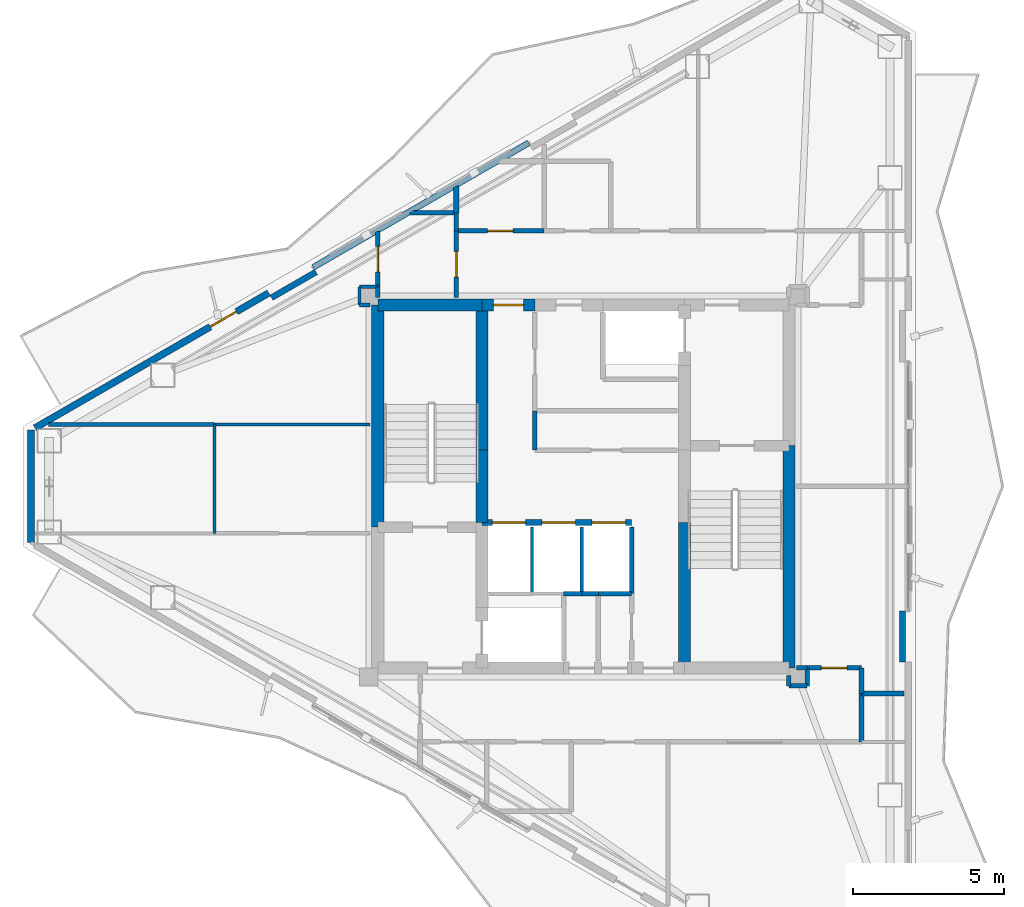
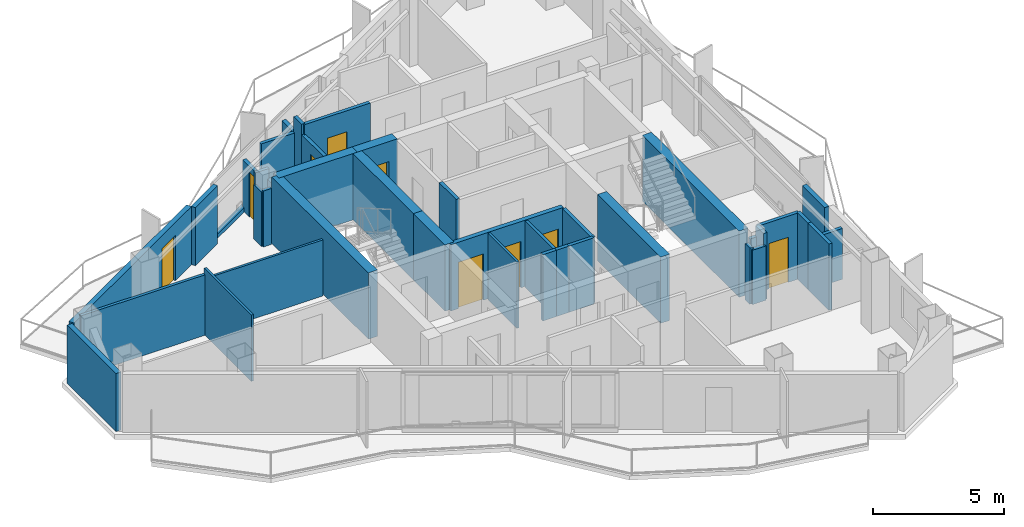
# One storey, part 15 of 18: 41 walls, 9 doors, 9 openings.
"""IFC4 building model written with IfcOpenShell, lengths in metres."""

from ifc_helpers import new_model, si_unit, direction, frame, frame_2d, origin, place, context, subcontext, project, spatial, rectangle, extrude, material, layer, layer_set, type_object, element, fill, save


model = new_model("IFC4")

# Units and contexts
model_context = context("Model", 3, precision=1e-05, world=origin(), true_north=direction((0.0, 1.0)))
body_context = subcontext(model_context, "Body", "Model", "MODEL_VIEW")
ifc_project = project(units=[si_unit("LENGTHUNIT", "METRE"), si_unit("AREAUNIT", "SQUARE_METRE"), si_unit("VOLUMEUNIT", "CUBIC_METRE"), si_unit("PLANEANGLEUNIT", "RADIAN"), si_unit("MASSUNIT", "GRAM", prefix="KILO")], contexts=[model_context])

# Site, building, storey
site_placement = place(None, origin())
site = spatial("IfcSite", under=ifc_project, at=site_placement, CompositionType="ELEMENT")
building_placement = place(site_placement, origin())
building = spatial("IfcBuilding", under=site, at=building_placement, Name="Mersakhor Tower and Convention Hall", CompositionType="ELEMENT")
storey_placement = place(building_placement, frame((0.0, 0.0, 233.10009765625)))
storey = spatial("IfcBuildingStorey", under=building, at=storey_placement, Name="L65", CompositionType="ELEMENT", Elevation=233.10009765625)

# Wall
ifc_material_1 = material(Name="Precast concrete C40/50", Category="concrete")
ifc_layer_1 = layer(ifc_material_1, 0.22509765625)
ifc_layer_set_1 = layer_set([ifc_layer_1], Name="Precast concrete C40/50")
wall_type_1 = type_object("IfcWallType", Name="WL-EXT-225", PredefinedType="SOLIDWALL", material=ifc_layer_set_1)
wall_1_placement = place(storey_placement, frame((10.73193359375, 24.892333984375, 0.0), z_axis=(0.0, 0.0, 1.0), x_axis=(0.0, 1.0, 0.0)))
element("IfcWall", 1, at=wall_1_placement, inside=storey, type_object=wall_type_1, Name="L65 Chamfer Braced Spandrel Wall C3", PredefinedType="SOLIDWALL", context=body_context, shape_type="SweptSolid", body=[
    extrude(rectangle(XDim=3.71533203125, YDim=0.22509765625, at=frame_2d((1.857666015625, 0.0))), origin(), (0.0, 0.0, 1.0), 2.699951171875),
])

# Wall, opening, door
wall_2_placement = place(storey_placement, frame((10.86181640625, 28.6826171875, 0.0), z_axis=(0.0, 0.0, 1.0), x_axis=(0.866026655105, 0.499997832642, 0.0)))
wall_2 = element("IfcWall", 2, at=wall_2_placement, inside=storey, type_object=wall_type_1, Name="L65 Exterior Facade Wall F1-B1", PredefinedType="SOLIDWALL", context=body_context, shape_type="SweptSolid", body=[
    extrude(rectangle(XDim=8.927734375, YDim=0.22509765625, at=frame_2d((4.4638671875, 0.0))), origin(), (0.0, 0.0, 1.0), 2.699951171875),
])
opening_1_placement = place(wall_2_placement, frame((6.696044921875, 0.0, 0.0)))
opening_1 = element("IfcOpeningElement", 3, at=opening_1_placement, cuts=wall_2, Name="Opening BD-01", PredefinedType="OPENING", context=body_context, shape_type="SweptSolid", body=[
    extrude(rectangle(XDim=1.0, YDim=2.10009765625, at=frame_2d((0.5, 1.050048828125))), frame((0.0, 0.12255859375, 0.0), z_axis=(0.0, -1.0, 0.0), x_axis=(1.0, 0.0, 0.0)), (0.0, 0.0, 1.0), 0.2451171875),
])
ifc_material_2 = material(Name="Thermally broken dark aluminium and safety glass", Category="aluminium")
door_type_1 = type_object("IfcDoorType", Name="DR-BAL-100x210", OperationType="NOTDEFINED", PredefinedType="DOOR", material=ifc_material_2)
door_1_placement = place(opening_1_placement, origin())
door_1 = element("IfcDoor", 4, at=door_1_placement, inside=storey, type_object=door_type_1, Name="L65 Balcony Terrace Door F1-B1", OperationType="SINGLE_SWING_LEFT", OverallHeight=2.10009765625, OverallWidth=1.0, PredefinedType="DOOR", context=body_context, shape_type="SweptSolid", body=[
    extrude(rectangle(XDim=1.0, YDim=2.10009765625, at=frame_2d((0.5, 1.050048828125))), frame((0.0, 0.02490234375, 0.0), z_axis=(0.0, -1.0, 0.0), x_axis=(1.0, 0.0, 0.0)), (0.0, 0.0, 1.0), 0.050048828125),
])
fill(opening_1, door_1)

# Walls
ifc_material_3 = material(Name="Precast concrete C40/50", Category="concrete")
ifc_layer_2 = layer(ifc_material_3, 0.199951171875)
ifc_layer_set_2 = layer_set([ifc_layer_2], Name="Precast concrete C40/50")
wall_type_2 = type_object("IfcWallType", Name="WL-PAR-200", PredefinedType="PARAPET", material=ifc_layer_set_2)
wall_3_placement = place(storey_placement, frame((20.06591796875, 33.99658203125, 0.0), z_axis=(0.0, 0.0, 1.0), x_axis=(0.866019557082, 0.500010126649, 0.0)))
element("IfcWall", 5, at=wall_3_placement, inside=storey, type_object=wall_type_2, Name="L65 Curtain Wall Upstand Sill F1-B2", PredefinedType="PARAPET", context=body_context, shape_type="SweptSolid", body=[
    extrude(rectangle(XDim=8.227783203125, YDim=0.199951171875, at=frame_2d((4.11376953125, 0.0))), origin(), (0.0, 0.0, 1.0), 0.199951171875),
])
wall_4_placement = place(storey_placement, frame((18.68359375, 32.99072265625, 0.0), z_axis=(0.0, 0.0, 1.0), x_axis=(0.866025371046, 0.500000056704, 0.0)))
element("IfcWall", 6, at=wall_4_placement, inside=storey, type_object=wall_type_2, Name="L65 Column Pier Cladding Wall F1-C1", PredefinedType="PARAPET", context=body_context, shape_type="SweptSolid", body=[
    extrude(rectangle(XDim=1.7001953125, YDim=0.199951171875, at=frame_2d((0.85009765625, 0.0))), origin(), (0.0, 0.0, 1.0), 2.699951171875),
])
wall_5_placement = place(storey_placement, frame((39.562744140625, 22.635986328125, 0.0), z_axis=(0.0, 0.0, 1.0), x_axis=(0.0, -1.0, 0.0)))
element("IfcWall", 7, at=wall_5_placement, inside=storey, type_object=wall_type_2, Name="L65 Column Pier Cladding Wall F2-C2", PredefinedType="PARAPET", context=body_context, shape_type="SweptSolid", body=[
    extrude(rectangle(XDim=1.699951171875, YDim=0.199951171875, at=frame_2d((0.85009765625, 0.0))), origin(), (0.0, 0.0, 1.0), 2.699951171875),
])
ifc_material_4 = material(Name="Moisture-resistant acoustic drywall studwork", Category="other")
ifc_layer_3 = layer(ifc_material_4, 0.175048828125)
ifc_layer_set_3 = layer_set([ifc_layer_3], Name="Moisture-resistant acoustic drywall studwork")
wall_type_3 = type_object("IfcWallType", Name="WL-PLM-175", PredefinedType="PLUMBINGWALL", material=ifc_layer_set_3)
wall_6_placement = place(storey_placement, frame((24.800048828125, 35.800048828125, 0.0), z_axis=(0.0, 0.0, 1.0), x_axis=(0.0, 1.0, 0.0)))
element("IfcWall", 8, at=wall_6_placement, inside=storey, type_object=wall_type_3, Name="L65 Interior Partition Wall P-040", PredefinedType="PLUMBINGWALL", context=body_context, shape_type="SweptSolid", body=[
    extrude(rectangle(XDim=0.883544921875, YDim=0.175048828125, at=frame_2d((0.44189453125, 0.0))), origin(), (0.0, 0.0, 1.0), 2.364990234375),
])
ifc_material_5 = material(Name="Lightweight gypsum partition", Category="other")
ifc_layer_4 = layer(ifc_material_5, 0.10009765625)
ifc_layer_set_4 = layer_set([ifc_layer_4], Name="Lightweight gypsum partition")
wall_type_4 = type_object("IfcWallType", Name="WL-PRT-100", PredefinedType="PARTITIONING", material=ifc_layer_set_4)
wall_7_placement = place(storey_placement, frame((27.300048828125, 25.39990234375, 0.0), z_axis=(0.0, 0.0, 1.0), x_axis=(0.0, -1.0, 0.0)))
element("IfcWall", 9, at=wall_7_placement, inside=storey, type_object=wall_type_4, Name="L65 Interior Partition Wall P-006", PredefinedType="PARTITIONING", context=body_context, shape_type="SweptSolid", body=[
    extrude(rectangle(XDim=2.199951171875, YDim=0.10009765625, at=frame_2d((1.10009765625, 0.0))), origin(), (0.0, 0.0, 1.0), 3.079833984375),
])
wall_8_placement = place(storey_placement, frame((21.60009765625, 33.35009765625, 0.0), z_axis=(0.0, 0.0, 1.0), x_axis=(0.0, -1.0, 0.0)))
element("IfcWall", 10, at=wall_8_placement, inside=storey, type_object=wall_type_4, Name="L65 Interior Partition Wall P-068", PredefinedType="PARTITIONING", context=body_context, shape_type="SweptSolid", body=[
    extrude(rectangle(XDim=0.60009765625, YDim=0.10009765625, at=frame_2d((0.300048828125, 0.0))), origin(), (0.0, 0.0, 1.0), 2.5283203125),
])
wall_9_placement = place(storey_placement, frame((21.949951171875, 28.800048828125, 0.0), z_axis=(0.0, 0.0, 1.0), x_axis=(-1.0, 0.0, 0.0)))
element("IfcWall", 11, at=wall_9_placement, inside=storey, type_object=wall_type_4, Name="L65 Interior Partition Wall P-070", PredefinedType="PARTITIONING", context=body_context, shape_type="SweptSolid", body=[
    extrude(rectangle(XDim=5.14990234375, YDim=0.10009765625, at=frame_2d((2.574951171875, 0.0))), origin(), (0.0, 0.0, 1.0), 2.60498046875),
])
wall_10_placement = place(storey_placement, frame((16.800048828125, 25.199951171875, 0.0), z_axis=(0.0, 0.0, 1.0), x_axis=(0.0, 1.0, 0.0)))
element("IfcWall", 12, at=wall_10_placement, inside=storey, type_object=wall_type_4, Name="L65 Interior Partition Wall P-072", PredefinedType="PARTITIONING", context=body_context, shape_type="SweptSolid", body=[
    extrude(rectangle(XDim=3.60009765625, YDim=0.10009765625, at=frame_2d((1.800048828125, 0.0))), origin(), (0.0, 0.0, 1.0), 3.079833984375),
])
ifc_material_6 = material(Name="Gypsum board acoustic partition", Category="other")
ifc_layer_5 = layer(ifc_material_6, 0.125)
ifc_layer_set_5 = layer_set([ifc_layer_5], Name="Gypsum board acoustic partition")
wall_type_5 = type_object("IfcWallType", Name="WL-PRT-125", PredefinedType="PARTITIONING", material=ifc_layer_set_5)
wall_11_placement = place(storey_placement, frame((28.949951171875, 25.39990234375, 0.0), z_axis=(0.0, 0.0, 1.0), x_axis=(0.0, -1.0, 0.0)))
element("IfcWall", 13, at=wall_11_placement, inside=storey, type_object=wall_type_5, Name="L65 Interior Partition Wall P-007", PredefinedType="PARTITIONING", context=body_context, shape_type="SweptSolid", body=[
    extrude(rectangle(XDim=2.199951171875, YDim=0.125, at=frame_2d((1.10009765625, 0.0))), origin(), (0.0, 0.0, 1.0), 3.079833984375),
])
wall_12_placement = place(storey_placement, frame((22.199951171875, 33.35009765625, 0.0), z_axis=(0.0, 0.0, 1.0), x_axis=(-1.0, 0.0, 0.0)))
element("IfcWall", 14, at=wall_12_placement, inside=storey, type_object=wall_type_5, Name="L65 Interior Partition Wall P-067", PredefinedType="PARTITIONING", context=body_context, shape_type="SweptSolid", body=[
    extrude(rectangle(XDim=0.599853515625, YDim=0.125, at=frame_2d((0.2998046875, 0.0))), origin(), (0.0, 0.0, 1.0), 3.079833984375),
])
wall_13_placement = place(storey_placement, frame((21.60009765625, 32.75, 0.0), z_axis=(0.0, 0.0, 1.0), x_axis=(1.0, 0.0, 0.0)))
element("IfcWall", 15, at=wall_13_placement, inside=storey, type_object=wall_type_5, Name="L65 Interior Partition Wall P-069", PredefinedType="PARTITIONING", context=body_context, shape_type="SweptSolid", body=[
    extrude(rectangle(XDim=0.349853515625, YDim=0.125, at=frame_2d((0.1748046875, 0.0))), origin(), (0.0, 0.0, 1.0), 2.60498046875),
])
wall_14_placement = place(storey_placement, frame((16.800048828125, 28.800048828125, 0.0), z_axis=(0.0, 0.0, 1.0), x_axis=(-1.0, 0.0, 0.0)))
element("IfcWall", 16, at=wall_14_placement, inside=storey, type_object=wall_type_5, Name="L65 Interior Partition Wall P-071", PredefinedType="PARTITIONING", context=body_context, shape_type="SweptSolid", body=[
    extrude(rectangle(XDim=5.48681640625, YDim=0.125, at=frame_2d((2.743408203125, 0.0))), origin(), (0.0, 0.0, 1.0), 2.8046875),
])
ifc_material_7 = material(Name="Fire-rated gypsum board stud partition", Category="other")
ifc_layer_6 = layer(ifc_material_7, 0.14990234375)
ifc_layer_set_6 = layer_set([ifc_layer_6], Name="Fire-rated gypsum board stud partition")
wall_type_6 = type_object("IfcWallType", Name="WL-PRT-150", PredefinedType="PARTITIONING", material=ifc_layer_set_6)
wall_15_placement = place(storey_placement, frame((28.949951171875, 23.199951171875, 0.0), z_axis=(0.0, 0.0, 1.0), x_axis=(-1.0, 0.0, 0.0)))
element("IfcWall", 17, at=wall_15_placement, inside=storey, type_object=wall_type_6, Name="L65 Interior Partition Wall P-008", PredefinedType="PARTITIONING", context=body_context, shape_type="SweptSolid", body=[
    extrude(rectangle(XDim=0.599853515625, YDim=0.14990234375, at=frame_2d((0.2998046875, 0.0))), origin(), (0.0, 0.0, 1.0), 3.079833984375),
])
wall_16_placement = place(storey_placement, frame((30.60009765625, 25.39990234375, 0.0), z_axis=(0.0, 0.0, 1.0), x_axis=(0.0, -1.0, 0.0)))
element("IfcWall", 18, at=wall_16_placement, inside=storey, type_object=wall_type_6, Name="L65 Interior Partition Wall P-009", PredefinedType="PARTITIONING", context=body_context, shape_type="SweptSolid", body=[
    extrude(rectangle(XDim=2.199951171875, YDim=0.14990234375, at=frame_2d((1.10009765625, 0.0))), origin(), (0.0, 0.0, 1.0), 3.079833984375),
])
wall_17_placement = place(storey_placement, frame((30.60009765625, 23.199951171875, 0.0), z_axis=(0.0, 0.0, 1.0), x_axis=(-1.0, 0.0, 0.0)))
element("IfcWall", 19, at=wall_17_placement, inside=storey, type_object=wall_type_6, Name="L65 Interior Partition Wall P-010", PredefinedType="PARTITIONING", context=body_context, shape_type="SweptSolid", body=[
    extrude(rectangle(XDim=1.10009765625, YDim=0.14990234375, at=frame_2d((0.550048828125, 0.0))), origin(), (0.0, 0.0, 1.0), 3.079833984375),
])
wall_18_placement = place(storey_placement, frame((29.5, 23.199951171875, 0.0), z_axis=(0.0, 0.0, 1.0), x_axis=(-1.0, 0.0, 0.0)))
element("IfcWall", 20, at=wall_18_placement, inside=storey, type_object=wall_type_6, Name="L65 Interior Partition Wall P-011", PredefinedType="PARTITIONING", context=body_context, shape_type="SweptSolid", body=[
    extrude(rectangle(XDim=0.550048828125, YDim=0.14990234375, at=frame_2d((0.27490234375, 0.0))), origin(), (0.0, 0.0, 1.0), 3.079833984375),
])
wall_19_placement = place(storey_placement, frame((27.39990234375, 29.25, 0.0), z_axis=(0.0, 0.0, 1.0), x_axis=(0.0, -1.0, 0.0)))
element("IfcWall", 21, at=wall_19_placement, inside=storey, type_object=wall_type_6, Name="L65 Interior Partition Wall P-014", PredefinedType="PARTITIONING", context=body_context, shape_type="SweptSolid", body=[
    extrude(rectangle(XDim=1.300048828125, YDim=0.14990234375, at=frame_2d((0.64990234375, 0.0))), origin(), (0.0, 0.0, 1.0), 3.079833984375),
])

# Wall, opening, door
wall_20_placement = place(storey_placement, frame((24.800048828125, 35.199951171875, 0.0), z_axis=(0.0, 0.0, 1.0), x_axis=(1.0, 0.0, 0.0)))
wall_20 = element("IfcWall", 22, at=wall_20_placement, inside=storey, type_object=wall_type_6, Name="L65 Interior Partition Wall P-016", PredefinedType="PARTITIONING", context=body_context, shape_type="SweptSolid", body=[
    extrude(rectangle(XDim=2.89990234375, YDim=0.14990234375, at=frame_2d((1.449951171875, 0.0))), origin(), (0.0, 0.0, 1.0), 3.079833984375),
])
opening_2_placement = place(wall_20_placement, frame((1.02490234375, 0.0, 0.0)))
opening_2 = element("IfcOpeningElement", 23, at=opening_2_placement, cuts=wall_20, Name="Opening SVD-01", PredefinedType="OPENING", context=body_context, shape_type="SweptSolid", body=[
    extrude(rectangle(XDim=0.85009765625, YDim=2.10009765625, at=frame_2d((0.425048828125, 1.050048828125))), frame((0.0, 0.0849609375, 0.0), z_axis=(0.0, -1.0, 0.0), x_axis=(1.0, 0.0, 0.0)), (0.0, 0.0, 1.0), 0.169921875),
])
ifc_material_8 = material(Name="Fire-rated hardwood leaf and painted steel frame", Category="steel")
door_type_2 = type_object("IfcDoorType", Name="DR-INT-SVC-085x210", OperationType="NOTDEFINED", PredefinedType="DOOR", material=ifc_material_8)
door_2_placement = place(opening_2_placement, origin())
door_2 = element("IfcDoor", 24, at=door_2_placement, inside=storey, type_object=door_type_2, Name="L65 Residential North Gallery Corridor to L65 Floor Shared Restroom WC 1-1 Door", OperationType="SINGLE_SWING_LEFT", OverallHeight=2.10009765625, OverallWidth=0.85009765625, PredefinedType="DOOR", context=body_context, shape_type="SweptSolid", body=[
    extrude(rectangle(XDim=0.85009765625, YDim=2.10009765625, at=frame_2d((0.425048828125, 1.050048828125))), frame((0.0, 0.02490234375, 0.0), z_axis=(0.0, -1.0, 0.0), x_axis=(1.0, 0.0, 0.0)), (0.0, 0.0, 1.0), 0.050048828125),
])
fill(opening_2, door_2)

wall_21_placement = place(storey_placement, frame((24.800048828125, 33.0, 0.0), z_axis=(0.0, 0.0, 1.0), x_axis=(0.0, 1.0, 0.0)))
wall_21 = element("IfcWall", 25, at=wall_21_placement, inside=storey, type_object=wall_type_6, Name="L65 Interior Partition Wall P-026", PredefinedType="PARTITIONING", context=body_context, shape_type="SweptSolid", body=[
    extrude(rectangle(XDim=2.199951171875, YDim=0.14990234375, at=frame_2d((1.10009765625, 0.0))), origin(), (0.0, 0.0, 1.0), 2.60498046875),
])
opening_3_placement = place(wall_21_placement, frame((0.675048828125, 0.0, 0.0)))
opening_3 = element("IfcOpeningElement", 26, at=opening_3_placement, cuts=wall_21, Name="Opening SVD-01", PredefinedType="OPENING", context=body_context, shape_type="SweptSolid", body=[
    extrude(rectangle(XDim=0.85009765625, YDim=2.10009765625, at=frame_2d((0.425048828125, 1.050048828125))), frame((0.0, 0.0849609375, 0.0), z_axis=(0.0, -1.0, 0.0), x_axis=(1.0, 0.0, 0.0)), (0.0, 0.0, 1.0), 0.169921875),
])
door_3_placement = place(opening_3_placement, origin())
door_3 = element("IfcDoor", 27, at=door_3_placement, inside=storey, type_object=door_type_2, Name="L65 Residential North Gallery Corridor to L65 Floor Household Store Room 3-1 Door", OperationType="SINGLE_SWING_LEFT", OverallHeight=2.10009765625, OverallWidth=0.85009765625, PredefinedType="DOOR", context=body_context, shape_type="SweptSolid", body=[
    extrude(rectangle(XDim=0.85009765625, YDim=2.10009765625, at=frame_2d((0.425048828125, 1.050048828125))), frame((0.0, 0.02490234375, 0.0), z_axis=(0.0, -1.0, 0.0), x_axis=(1.0, 0.0, 0.0)), (0.0, 0.0, 1.0), 0.050048828125),
])
fill(opening_3, door_3)

# Walls
wall_22_placement = place(storey_placement, frame((35.800048828125, 20.14990234375, 0.0), z_axis=(0.0, 0.0, 1.0), x_axis=(1.0, 0.0, 0.0)))
element("IfcWall", 28, at=wall_22_placement, inside=storey, type_object=wall_type_6, Name="L65 Interior Partition Wall P-027", PredefinedType="PARTITIONING", context=body_context, shape_type="SweptSolid", body=[
    extrude(rectangle(XDim=0.599853515625, YDim=0.14990234375, at=frame_2d((0.2998046875, 0.0))), origin(), (0.0, 0.0, 1.0), 2.5283203125),
])
wall_23_placement = place(storey_placement, frame((36.39990234375, 20.14990234375, 0.0), z_axis=(0.0, 0.0, 1.0), x_axis=(0.0, 1.0, 0.0)))
element("IfcWall", 29, at=wall_23_placement, inside=storey, type_object=wall_type_6, Name="L65 Interior Partition Wall P-028", PredefinedType="PARTITIONING", context=body_context, shape_type="SweptSolid", body=[
    extrude(rectangle(XDim=0.60009765625, YDim=0.14990234375, at=frame_2d((0.300048828125, 0.0))), origin(), (0.0, 0.0, 1.0), 3.079833984375),
])

# Wall, opening, door
wall_24_placement = place(storey_placement, frame((36.39990234375, 20.75, 0.0), z_axis=(0.0, 0.0, 1.0), x_axis=(1.0, 0.0, 0.0)))
wall_24 = element("IfcWall", 30, at=wall_24_placement, inside=storey, type_object=wall_type_6, Name="L65 Interior Partition Wall P-029", PredefinedType="PARTITIONING", context=body_context, shape_type="SweptSolid", body=[
    extrude(rectangle(XDim=1.800048828125, YDim=0.14990234375, at=frame_2d((0.89990234375, 0.0))), origin(), (0.0, 0.0, 1.0), 3.079833984375),
])
opening_4_placement = place(wall_24_placement, frame((0.47509765625, 0.0, 0.0)))
opening_4 = element("IfcOpeningElement", 31, at=opening_4_placement, cuts=wall_24, Name="Opening SVD-01", PredefinedType="OPENING", context=body_context, shape_type="SweptSolid", body=[
    extrude(rectangle(XDim=0.85009765625, YDim=2.10009765625, at=frame_2d((0.425048828125, 1.050048828125))), frame((0.0, 0.0849609375, 0.0), z_axis=(0.0, -1.0, 0.0), x_axis=(1.0, 0.0, 0.0)), (0.0, 0.0, 1.0), 0.169921875),
])
door_4_placement = place(opening_4_placement, origin())
door_4 = element("IfcDoor", 32, at=door_4_placement, inside=storey, type_object=door_type_2, Name="L65 Residential South Gallery Corridor to L65 East Crown Household Store Door", OperationType="SINGLE_SWING_LEFT", OverallHeight=2.10009765625, OverallWidth=0.85009765625, PredefinedType="DOOR", context=body_context, shape_type="SweptSolid", body=[
    extrude(rectangle(XDim=0.85009765625, YDim=2.10009765625, at=frame_2d((0.425048828125, 1.050048828125))), frame((0.0, 0.02490234375, 0.0), z_axis=(0.0, -1.0, 0.0), x_axis=(1.0, 0.0, 0.0)), (0.0, 0.0, 1.0), 0.050048828125),
])
fill(opening_4, door_4)

# Walls
wall_25_placement = place(storey_placement, frame((38.199951171875, 20.75, 0.0), z_axis=(0.0, 0.0, 1.0), x_axis=(0.0, -1.0, 0.0)))
element("IfcWall", 33, at=wall_25_placement, inside=storey, type_object=wall_type_6, Name="L65 Interior Partition Wall P-030", PredefinedType="PARTITIONING", context=body_context, shape_type="SweptSolid", body=[
    extrude(rectangle(XDim=0.85009765625, YDim=0.14990234375, at=frame_2d((0.425048828125, 0.0))), origin(), (0.0, 0.0, 1.0), 3.079833984375),
])
wall_26_placement = place(storey_placement, frame((38.199951171875, 19.89990234375, 0.0), z_axis=(0.0, 0.0, 1.0), x_axis=(0.0, -1.0, 0.0)))
element("IfcWall", 34, at=wall_26_placement, inside=storey, type_object=wall_type_6, Name="L65 Interior Partition Wall P-031", PredefinedType="PARTITIONING", context=body_context, shape_type="SweptSolid", body=[
    extrude(rectangle(XDim=1.599853515625, YDim=0.14990234375, at=frame_2d((0.7998046875, 0.0))), origin(), (0.0, 0.0, 1.0), 3.079833984375),
])
wall_27_placement = place(storey_placement, frame((35.800048828125, 20.5, 0.0), z_axis=(0.0, 0.0, 1.0), x_axis=(0.0, -1.0, 0.0)))
element("IfcWall", 35, at=wall_27_placement, inside=storey, type_object=wall_type_6, Name="L65 Interior Partition Wall P-037", PredefinedType="PARTITIONING", context=body_context, shape_type="SweptSolid", body=[
    extrude(rectangle(XDim=0.35009765625, YDim=0.14990234375, at=frame_2d((0.175048828125, 0.0))), origin(), (0.0, 0.0, 1.0), 2.60498046875),
])
wall_28_placement = place(storey_placement, frame((24.800048828125, 35.199951171875, 0.0), z_axis=(0.0, 0.0, 1.0), x_axis=(0.0, 1.0, 0.0)))
element("IfcWall", 36, at=wall_28_placement, inside=storey, type_object=wall_type_6, Name="L65 Interior Partition Wall P-039", PredefinedType="PARTITIONING", context=body_context, shape_type="SweptSolid", body=[
    extrude(rectangle(XDim=0.60009765625, YDim=0.14990234375, at=frame_2d((0.300048828125, 0.0))), origin(), (0.0, 0.0, 1.0), 3.079833984375),
])
wall_29_placement = place(storey_placement, frame((36.39990234375, 20.75, 0.0), z_axis=(0.0, 0.0, 1.0), x_axis=(-1.0, 0.0, 0.0)))
element("IfcWall", 37, at=wall_29_placement, inside=storey, type_object=wall_type_6, Name="L65 Interior Partition Wall P-058", PredefinedType="PARTITIONING", context=body_context, shape_type="SweptSolid", body=[
    extrude(rectangle(XDim=0.349853515625, YDim=0.14990234375, at=frame_2d((0.1748046875, 0.0))), origin(), (0.0, 0.0, 1.0), 2.60498046875),
])
wall_30_placement = place(storey_placement, frame((39.606201171875, 19.89990234375, 0.0), z_axis=(0.0, 0.0, 1.0), x_axis=(-1.0, 0.0, 0.0)))
element("IfcWall", 38, at=wall_30_placement, inside=storey, type_object=wall_type_6, Name="L65 Interior Partition Wall P-059", PredefinedType="PARTITIONING", context=body_context, shape_type="SweptSolid", body=[
    extrude(rectangle(XDim=1.40625, YDim=0.14990234375, at=frame_2d((0.703125, 0.0))), origin(), (0.0, 0.0, 1.0), 2.364990234375),
])
wall_31_placement = place(storey_placement, frame((22.199951171875, 33.0, 0.0), z_axis=(0.0, 0.0, 1.0), x_axis=(0.0, 1.0, 0.0)))
element("IfcWall", 39, at=wall_31_placement, inside=storey, type_object=wall_type_6, Name="L65 Interior Partition Wall P-064", PredefinedType="PARTITIONING", context=body_context, shape_type="SweptSolid", body=[
    extrude(rectangle(XDim=0.35009765625, YDim=0.14990234375, at=frame_2d((0.175048828125, 0.0))), origin(), (0.0, 0.0, 1.0), 2.60498046875),
])

# Wall, opening, door
wall_32_placement = place(storey_placement, frame((22.199951171875, 33.35009765625, 0.0), z_axis=(0.0, 0.0, 1.0), x_axis=(0.0, 1.0, 0.0)))
wall_32 = element("IfcWall", 40, at=wall_32_placement, inside=storey, type_object=wall_type_6, Name="L65 Interior Partition Wall P-065", PredefinedType="PARTITIONING", context=body_context, shape_type="SweptSolid", body=[
    extrude(rectangle(XDim=1.83251953125, YDim=0.14990234375, at=frame_2d((0.916259765625, 0.0))), origin(), (0.0, 0.0, 1.0), 2.364990234375),
])
opening_5_placement = place(wall_32_placement, frame((0.4912109375, 0.0, 0.0)))
opening_5 = element("IfcOpeningElement", 41, at=opening_5_placement, cuts=wall_32, Name="Opening SVD-01", PredefinedType="OPENING", context=body_context, shape_type="SweptSolid", body=[
    extrude(rectangle(XDim=0.85009765625, YDim=2.10009765625, at=frame_2d((0.425048828125, 1.050048828125))), frame((0.0, 0.0849609375, 0.0), z_axis=(0.0, -1.0, 0.0), x_axis=(1.0, 0.0, 0.0)), (0.0, 0.0, 1.0), 0.169921875),
])
door_5_placement = place(opening_5_placement, origin())
door_5 = element("IfcDoor", 42, at=door_5_placement, inside=storey, type_object=door_type_2, Name="L65 L65 Floor Household Store Room 3-1 to L65 Floor Residents Study Room 3-2 Door", OperationType="SINGLE_SWING_RIGHT", OverallHeight=2.10009765625, OverallWidth=0.85009765625, PredefinedType="DOOR", context=body_context, shape_type="SweptSolid", body=[
    extrude(rectangle(XDim=0.85009765625, YDim=2.10009765625, at=frame_2d((0.425048828125, 1.050048828125))), frame((0.0, 0.02490234375, 0.0), z_axis=(0.0, -1.0, 0.0), x_axis=(1.0, 0.0, 0.0)), (0.0, 0.0, 1.0), 0.050048828125),
])
fill(opening_5, door_5)

# Wall
wall_33_placement = place(storey_placement, frame((23.26220703125, 35.800048828125, 0.0), z_axis=(0.0, 0.0, 1.0), x_axis=(1.0, 0.0, 0.0)))
element("IfcWall", 43, at=wall_33_placement, inside=storey, type_object=wall_type_6, Name="L65 Interior Partition Wall P-066", PredefinedType="PARTITIONING", context=body_context, shape_type="SweptSolid", body=[
    extrude(rectangle(XDim=1.537841796875, YDim=0.14990234375, at=frame_2d((0.76904296875, 0.0))), origin(), (0.0, 0.0, 1.0), 2.364990234375),
])

# Wall, openings, doors
ifc_material_9 = material(Name="Acoustic concrete blockwork and gypsum board", Category="masonry")
ifc_layer_7 = layer(ifc_material_9, 0.199951171875)
ifc_layer_set_7 = layer_set([ifc_layer_7], Name="Acoustic concrete blockwork and gypsum board")
wall_type_7 = type_object("IfcWallType", Name="WL-PRT-200", PredefinedType="PARTITIONING", material=ifc_layer_set_7)
wall_34_placement = place(storey_placement, frame((25.64990234375, 25.550048828125, 0.0), z_axis=(0.0, 0.0, 1.0), x_axis=(1.0, 0.0, 0.0)))
wall_34 = element("IfcWall", 44, at=wall_34_placement, inside=storey, type_object=wall_type_7, Name="L65 High-Rise Lift Bank Front Wall", PredefinedType="PARTITIONING", context=body_context, shape_type="SweptSolid", body=[
    extrude(rectangle(XDim=4.9501953125, YDim=0.199951171875, at=frame_2d((2.47509765625, 0.0))), origin(), (0.0, 0.0, 1.0), 3.079833984375),
])
opening_6_placement = place(wall_34_placement, frame((0.340087890625, 0.0, 0.0)))
opening_6 = element("IfcOpeningElement", 45, at=opening_6_placement, cuts=wall_34, Name="Opening LD-P4", PredefinedType="OPENING", context=body_context, shape_type="SweptSolid", body=[
    extrude(rectangle(XDim=1.10009765625, YDim=2.14990234375, at=frame_2d((0.550048828125, 1.074951171875))), frame((0.0, 0.10986328125, 0.0), z_axis=(0.0, -1.0, 0.0), x_axis=(1.0, 0.0, 0.0)), (0.0, 0.0, 1.0), 0.219970703125),
])
opening_7_placement = place(wall_34_placement, frame((1.989990234375, 0.0, 0.0)))
opening_7 = element("IfcOpeningElement", 46, at=opening_7_placement, cuts=wall_34, Name="Opening LD-P5", PredefinedType="OPENING", context=body_context, shape_type="SweptSolid", body=[
    extrude(rectangle(XDim=1.10009765625, YDim=2.14990234375, at=frame_2d((0.550048828125, 1.074951171875))), frame((0.0, 0.10986328125, 0.0), z_axis=(0.0, -1.0, 0.0), x_axis=(1.0, 0.0, 0.0)), (0.0, 0.0, 1.0), 0.219970703125),
])
opening_8_placement = place(wall_34_placement, frame((3.639892578125, 0.0, 0.0)))
opening_8 = element("IfcOpeningElement", 47, at=opening_8_placement, cuts=wall_34, Name="Opening LD-P6", PredefinedType="OPENING", context=body_context, shape_type="SweptSolid", body=[
    extrude(rectangle(XDim=1.10009765625, YDim=2.14990234375, at=frame_2d((0.550048828125, 1.074951171875))), frame((0.0, 0.10986328125, 0.0), z_axis=(0.0, -1.0, 0.0), x_axis=(1.0, 0.0, 0.0)), (0.0, 0.0, 1.0), 0.219970703125),
])
ifc_material_10 = material(Name="Fire-rated brushed stainless steel sliding landing door", Category="steel")
door_type_3 = type_object("IfcDoorType", Name="DR-LIFT-SLD-110x215", OperationType="NOTDEFINED", PredefinedType="DOOR", material=ifc_material_10)
door_6_placement = place(opening_6_placement, origin())
door_6 = element("IfcDoor", 48, at=door_6_placement, inside=storey, type_object=door_type_3, Name="L65 Lift Landing Door LD-P4", OperationType="SLIDING_TO_LEFT", OverallHeight=2.14990234375, OverallWidth=1.10009765625, PredefinedType="DOOR", context=body_context, shape_type="SweptSolid", body=[
    extrude(rectangle(XDim=1.10009765625, YDim=2.14990234375, at=frame_2d((0.550048828125, 1.074951171875))), frame((0.0, 0.02490234375, 0.0), z_axis=(0.0, -1.0, 0.0), x_axis=(1.0, 0.0, 0.0)), (0.0, 0.0, 1.0), 0.050048828125),
])
fill(opening_6, door_6)
door_7_placement = place(opening_7_placement, origin())
door_7 = element("IfcDoor", 49, at=door_7_placement, inside=storey, type_object=door_type_3, Name="L65 Lift Landing Door LD-P5", OperationType="SLIDING_TO_LEFT", OverallHeight=2.14990234375, OverallWidth=1.10009765625, PredefinedType="DOOR", context=body_context, shape_type="SweptSolid", body=[
    extrude(rectangle(XDim=1.10009765625, YDim=2.14990234375, at=frame_2d((0.550048828125, 1.074951171875))), frame((0.0, 0.02490234375, 0.0), z_axis=(0.0, -1.0, 0.0), x_axis=(1.0, 0.0, 0.0)), (0.0, 0.0, 1.0), 0.050048828125),
])
fill(opening_7, door_7)
door_8_placement = place(opening_8_placement, origin())
door_8 = element("IfcDoor", 50, at=door_8_placement, inside=storey, type_object=door_type_3, Name="L65 Lift Landing Door LD-P6", OperationType="SLIDING_TO_LEFT", OverallHeight=2.14990234375, OverallWidth=1.10009765625, PredefinedType="DOOR", context=body_context, shape_type="SweptSolid", body=[
    extrude(rectangle(XDim=1.10009765625, YDim=2.14990234375, at=frame_2d((0.550048828125, 1.074951171875))), frame((0.0, 0.02490234375, 0.0), z_axis=(0.0, -1.0, 0.0), x_axis=(1.0, 0.0, 0.0)), (0.0, 0.0, 1.0), 0.050048828125),
])
fill(opening_8, door_8)

# Walls
ifc_material_11 = material(Name="Concrete C60/75", Category="concrete")
ifc_layer_8 = layer(ifc_material_11, 0.39990234375)
ifc_layer_set_8 = layer_set([ifc_layer_8], Name="Concrete C60/75")
wall_type_8 = type_object("IfcWallType", Name="WL-SHR-400", PredefinedType="SHEAR", material=ifc_layer_set_8)
wall_35_placement = place(storey_placement, frame((22.199951171875, 25.39990234375, 0.0), z_axis=(0.0, 0.0, 1.0), x_axis=(0.0, 1.0, 0.0)))
element("IfcWall", 51, at=wall_35_placement, inside=storey, type_object=wall_type_8, Name="L65 Core Wall CW-W2", PredefinedType="SHEAR", context=body_context, shape_type="SweptSolid", body=[
    extrude(rectangle(XDim=7.35009765625, YDim=0.39990234375, at=frame_2d((3.675048828125, 0.0))), origin(), (0.0, 0.0, 1.0), 3.079833984375),
])
wall_36_placement = place(storey_placement, frame((22.199951171875, 32.75, 0.0), z_axis=(0.0, 0.0, 1.0), x_axis=(1.0, 0.0, 0.0)))
element("IfcWall", 52, at=wall_36_placement, inside=storey, type_object=wall_type_8, Name="L65 Core Wall CW-N1", PredefinedType="SHEAR", context=body_context, shape_type="SweptSolid", body=[
    extrude(rectangle(XDim=3.449951171875, YDim=0.39990234375, at=frame_2d((1.72509765625, 0.0))), origin(), (0.0, 0.0, 1.0), 3.079833984375),
])

# Wall, opening, door
wall_37_placement = place(storey_placement, frame((25.64990234375, 32.75, 0.0), z_axis=(0.0, 0.0, 1.0), x_axis=(1.0, 0.0, 0.0)))
wall_37 = element("IfcWall", 53, at=wall_37_placement, inside=storey, type_object=wall_type_8, Name="L65 Core Wall CW-N2A", PredefinedType="SHEAR", context=body_context, shape_type="SweptSolid", body=[
    extrude(rectangle(XDim=1.75, YDim=0.39990234375, at=frame_2d((0.875, 0.0))), origin(), (0.0, 0.0, 1.0), 3.079833984375),
])
opening_9_placement = place(wall_37_placement, frame((0.375, 0.0, 0.0)))
opening_9 = element("IfcOpeningElement", 54, at=opening_9_placement, cuts=wall_37, Name="Opening CFD-01", PredefinedType="OPENING", context=body_context, shape_type="SweptSolid", body=[
    extrude(rectangle(XDim=1.0, YDim=2.14990234375, at=frame_2d((0.5, 1.074951171875))), frame((0.0, 0.2099609375, 0.0), z_axis=(0.0, -1.0, 0.0), x_axis=(1.0, 0.0, 0.0)), (0.0, 0.0, 1.0), 0.419921875),
])
ifc_material_12 = material(Name="Fire-rated hardwood leaf and painted steel frame", Category="steel")
door_type_4 = type_object("IfcDoorType", Name="DR-CORE-FD-100x215", OperationType="NOTDEFINED", PredefinedType="DOOR", material=ifc_material_12)
door_9_placement = place(opening_9_placement, origin())
door_9 = element("IfcDoor", 55, at=door_9_placement, inside=storey, type_object=door_type_4, Name="L65 Lift Lobby North Corridor Door", OperationType="SINGLE_SWING_LEFT", OverallHeight=2.14990234375, OverallWidth=1.0, PredefinedType="DOOR", context=body_context, shape_type="SweptSolid", body=[
    extrude(rectangle(XDim=1.0, YDim=2.14990234375, at=frame_2d((0.5, 1.074951171875))), frame((0.0, 0.02490234375, 0.0), z_axis=(0.0, -1.0, 0.0), x_axis=(1.0, 0.0, 0.0)), (0.0, 0.0, 1.0), 0.050048828125),
])
fill(opening_9, door_9)

# Walls
wall_38_placement = place(storey_placement, frame((35.800048828125, 28.10009765625, 0.0), z_axis=(0.0, 0.0, 1.0), x_axis=(0.0, -1.0, 0.0)))
element("IfcWall", 56, at=wall_38_placement, inside=storey, type_object=wall_type_8, Name="L65 Core Wall CW-E2", PredefinedType="SHEAR", context=body_context, shape_type="SweptSolid", body=[
    extrude(rectangle(XDim=7.35009765625, YDim=0.39990234375, at=frame_2d((3.675048828125, 0.0))), origin(), (0.0, 0.0, 1.0), 3.079833984375),
])
wall_39_placement = place(storey_placement, frame((25.64990234375, 25.550048828125, 0.0), z_axis=(0.0, 0.0, 1.0), x_axis=(0.0, 1.0, 0.0)))
element("IfcWall", 57, at=wall_39_placement, inside=storey, type_object=wall_type_8, Name="L65 Core Wall CS-W-LOB", PredefinedType="SHEAR", context=body_context, shape_type="SweptSolid", body=[
    extrude(rectangle(XDim=2.39990234375, YDim=0.39990234375, at=frame_2d((1.199951171875, 0.0))), origin(), (0.0, 0.0, 1.0), 3.079833984375),
])
for number, where, z_axis, x_axis, name in (
    (58, (25.64990234375, 27.949951171875, 0.0), (0.0, 0.0, 1.0), (0.0, 1.0, 0.0), "L65 Core Wall CS-W-ST1"),
    (59, (32.35009765625, 20.75, 0.0), (0.0, 0.0, 1.0), (0.0, 1.0, 0.0), "L65 Core Wall CS-E-ST2"),
):
    element("IfcWall", number, at=place(storey_placement, frame(where, z_axis=z_axis, x_axis=x_axis)), inside=storey, type_object=wall_type_8, Name=name, PredefinedType="SHEAR", context=body_context, shape_type="SweptSolid", body=[
        extrude(rectangle(XDim=4.800048828125, YDim=0.39990234375, at=frame_2d((2.39990234375, 0.0))), origin(), (0.0, 0.0, 1.0), 3.079833984375),
    ])

save(model, "model.ifc")
